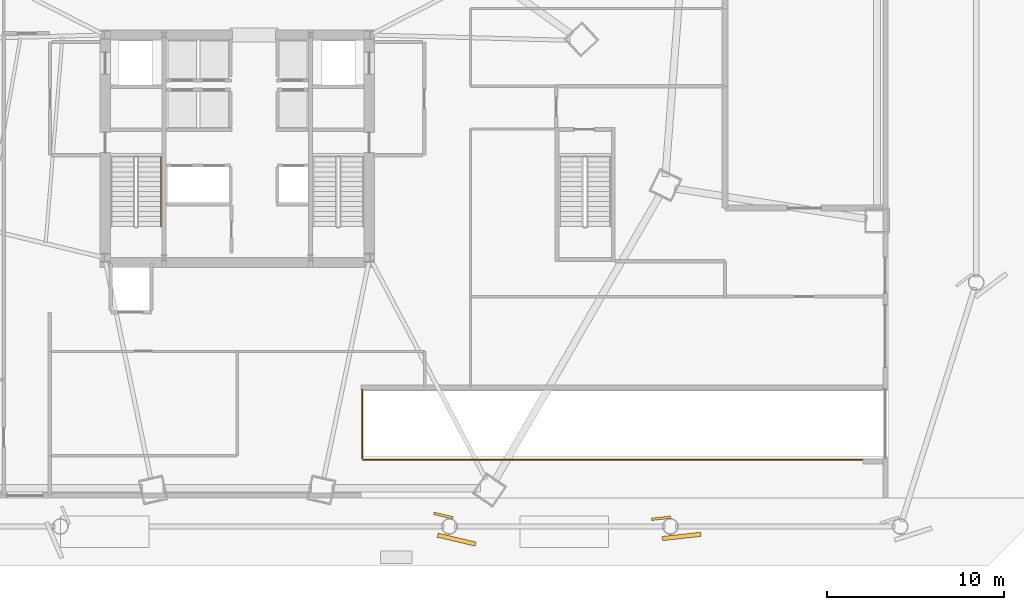
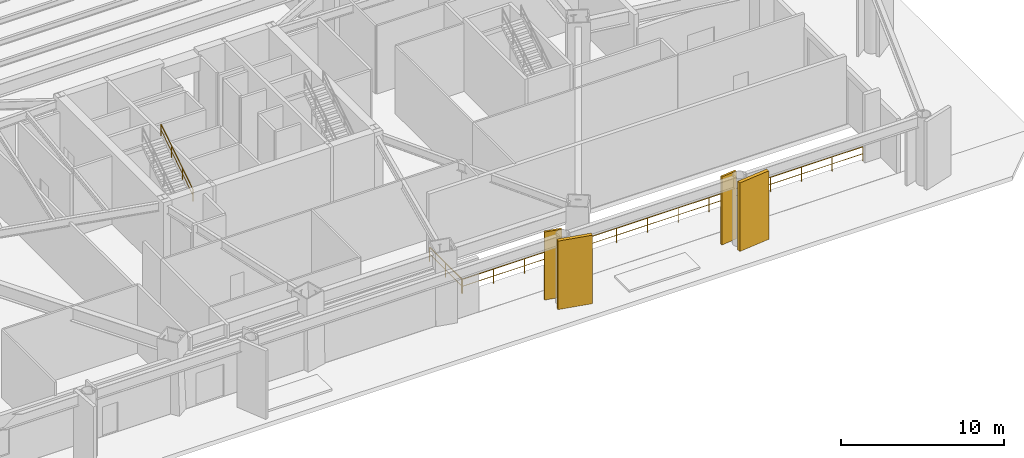
# One storey, part 16 of 19: 3 railings, 2 coverings, 2 shading devices.
"""IFC4 building model written with IfcOpenShell, lengths in metres."""

from ifc_helpers import new_model, si_unit, direction, frame, origin, origin_2d, place, context, subcontext, project, spatial, rectangle, extrude, source, transform, mapped, material, layer, layer_set, type_object, type_shapes, element, save


model = new_model("IFC4")

# Units and contexts
model_context = context("Model", 3, precision=1e-05, world=origin(), true_north=direction((0.0, 1.0)))
body_context = subcontext(model_context, "Body", "Model", "MODEL_VIEW")
ifc_project = project(units=[si_unit("LENGTHUNIT", "METRE"), si_unit("AREAUNIT", "SQUARE_METRE"), si_unit("VOLUMEUNIT", "CUBIC_METRE"), si_unit("PLANEANGLEUNIT", "RADIAN"), si_unit("MASSUNIT", "GRAM", prefix="KILO")], contexts=[model_context])

# Site, building, storey
site_placement = place(None, origin())
site = spatial("IfcSite", under=ifc_project, at=site_placement, CompositionType="ELEMENT")
building_placement = place(site_placement, origin())
building = spatial("IfcBuilding", under=site, at=building_placement, Name="Caelisora Broadcast Tower", CompositionType="ELEMENT")
storey_placement = place(building_placement, origin())
storey = spatial("IfcBuildingStorey", under=building, at=storey_placement, Name="L00", CompositionType="ELEMENT", Elevation=0.0)

# Railings
ifc_material_1 = material(Name="Galvanised Steel Safety Guardrail", Category="steel")
ifc_layer_1 = layer(ifc_material_1, 0.048095703125, Name="Galvanised Steel Safety Guardrail")
ifc_layer_set_1 = layer_set([ifc_layer_1], Name="Galvanised Steel Safety Guardrail")
railing_type_1 = type_object("IfcRailingType", Name="GR-1", PredefinedType="GUARDRAIL", material=ifc_layer_set_1)
railing_1_placement = place(storey_placement, frame((45.080078125, 9.949951171875, 0.0)))
element("IfcRailing", 1, at=railing_1_placement, inside=storey, type_object=railing_type_1, Name="L00 vehicle ramp guardrail #1", PredefinedType="GUARDRAIL", context=body_context, shape_type="SweptSolid", body=[
    extrude(rectangle(XDim=0.048095703125, YDim=0.048095703125, at=origin_2d()), frame((0.0, 0.0, 1.076171875), z_axis=(0.0, -1.0, 0.0), x_axis=(1.0, 0.0, 0.0)), (0.0, 0.0, 1.0), 3.89990234375),
    extrude(rectangle(XDim=0.03125, YDim=0.03125, at=origin_2d()), frame((0.0, 0.0, 0.550048828125), z_axis=(0.0, -1.0, 0.0), x_axis=(1.0, 0.0, 0.0)), (0.0, 0.0, 1.0), 3.89990234375),
    extrude(rectangle(XDim=0.0419921875, YDim=0.0419921875, at=origin_2d()), origin(), (0.0, 0.0, 1.0), 1.052001953125),
    extrude(rectangle(XDim=0.0419921875, YDim=0.0419921875, at=origin_2d()), frame((0.0, -1.949951171875, 0.0)), (0.0, 0.0, 1.0), 1.052001953125),
    extrude(rectangle(XDim=0.0419921875, YDim=0.0419921875, at=origin_2d()), frame((0.0, -3.89990234375, 0.0)), (0.0, 0.0, 1.0), 1.052001953125),
])
railing_2_placement = place(storey_placement, frame((45.1201171875, 5.97998046875, 0.0)))
element("IfcRailing", 2, at=railing_2_placement, inside=storey, type_object=railing_type_1, Name="L00 vehicle ramp guardrail #2", PredefinedType="GUARDRAIL", context=body_context, shape_type="SweptSolid", body=[
    extrude(rectangle(XDim=0.048095703125, YDim=0.048095703125, at=origin_2d()), frame((0.0, 0.0, 1.076171875), z_axis=(1.0, 0.0, 0.0), x_axis=(0.0, 1.0, 0.0)), (0.0, 0.0, 1.0), 28.27978515625),
    extrude(rectangle(XDim=0.03125, YDim=0.03125, at=origin_2d()), frame((0.0, 0.0, 0.550048828125), z_axis=(1.0, 0.0, 0.0), x_axis=(0.0, 1.0, 0.0)), (0.0, 0.0, 1.0), 28.27978515625),
    extrude(rectangle(XDim=0.0419921875, YDim=0.0419921875, at=origin_2d()), origin(), (0.0, 0.0, 1.0), 1.052001953125),
    extrude(rectangle(XDim=0.0419921875, YDim=0.0419921875, at=origin_2d()), frame((2.17529296875, 0.0, 0.0)), (0.0, 0.0, 1.0), 1.052001953125),
    extrude(rectangle(XDim=0.0419921875, YDim=0.0419921875, at=origin_2d()), frame((4.350830078125, 0.0, 0.0)), (0.0, 0.0, 1.0), 1.052001953125),
    extrude(rectangle(XDim=0.0419921875, YDim=0.0419921875, at=origin_2d()), frame((6.526123046875, 0.0, 0.0)), (0.0, 0.0, 1.0), 1.052001953125),
    extrude(rectangle(XDim=0.0419921875, YDim=0.0419921875, at=origin_2d()), frame((8.701416015625, 0.0, 0.0)), (0.0, 0.0, 1.0), 1.052001953125),
    extrude(rectangle(XDim=0.0419921875, YDim=0.0419921875, at=origin_2d()), frame((10.876953125, 0.0, 0.0)), (0.0, 0.0, 1.0), 1.052001953125),
    extrude(rectangle(XDim=0.0419921875, YDim=0.0419921875, at=origin_2d()), frame((13.05224609375, 0.0, 0.0)), (0.0, 0.0, 1.0), 1.052001953125),
    extrude(rectangle(XDim=0.0419921875, YDim=0.0419921875, at=origin_2d()), frame((15.2275390625, 0.0, 0.0)), (0.0, 0.0, 1.0), 1.052001953125),
    extrude(rectangle(XDim=0.0419921875, YDim=0.0419921875, at=origin_2d()), frame((17.40283203125, 0.0, 0.0)), (0.0, 0.0, 1.0), 1.052001953125),
    extrude(rectangle(XDim=0.0419921875, YDim=0.0419921875, at=origin_2d()), frame((19.578369140625, 0.0, 0.0)), (0.0, 0.0, 1.0), 1.052001953125),
    extrude(rectangle(XDim=0.0419921875, YDim=0.0419921875, at=origin_2d()), frame((21.753662109375, 0.0, 0.0)), (0.0, 0.0, 1.0), 1.052001953125),
    extrude(rectangle(XDim=0.0419921875, YDim=0.0419921875, at=origin_2d()), frame((23.928955078125, 0.0, 0.0)), (0.0, 0.0, 1.0), 1.052001953125),
    extrude(rectangle(XDim=0.0419921875, YDim=0.0419921875, at=origin_2d()), frame((26.1044921875, 0.0, 0.0)), (0.0, 0.0, 1.0), 1.052001953125),
    extrude(rectangle(XDim=0.0419921875, YDim=0.0419921875, at=origin_2d()), frame((28.27978515625, 0.0, 0.0)), (0.0, 0.0, 1.0), 1.052001953125),
])
ifc_material_2 = material(Name="Stainless Steel Grade 316 Tubular Handrail", Category="steel")
ifc_layer_2 = layer(ifc_material_2, 0.048095703125, Name="Stainless Steel Grade 316 Tubular Handrail")
ifc_layer_set_2 = layer_set([ifc_layer_2], Name="Stainless Steel Grade 316 Tubular Handrail")
railing_type_2 = type_object("IfcRailingType", Name="HR-1", PredefinedType="HANDRAIL", material=ifc_layer_set_2)
railing_3_placement = place(storey_placement, frame((33.68994140625, 19.179931640625, 2.8798828125)))
element("IfcRailing", 3, at=railing_3_placement, inside=storey, type_object=railing_type_2, Name="L00 ST-1 stair handrail 2", PredefinedType="HANDRAIL", context=body_context, shape_type="SweptSolid", body=[
    extrude(rectangle(XDim=0.048095703125, YDim=0.048095703125, at=origin_2d()), frame((0.0, 0.0, 0.8759765625), z_axis=(0.0, 0.841186985886, 0.540744352514), x_axis=(-1.0, 0.0, 0.0)), (0.0, 0.0, 1.0), 4.660400390625),
    extrude(rectangle(XDim=0.03125, YDim=0.03125, at=origin_2d()), frame((0.0, 0.0, 0.449951171875), z_axis=(0.0, 0.841186985886, 0.540744352514), x_axis=(-1.0, 0.0, 0.0)), (0.0, 0.0, 1.0), 4.660400390625),
    extrude(rectangle(XDim=0.0419921875, YDim=0.0419921875, at=origin_2d()), origin(), (0.0, 0.0, 1.0), 0.851806640625),
    extrude(rectangle(XDim=0.0419921875, YDim=0.0419921875, at=origin_2d()), frame((0.0, 1.306640625, 0.840087890625)), (0.0, 0.0, 1.0), 0.851806640625),
    extrude(rectangle(XDim=0.0419921875, YDim=0.0419921875, at=origin_2d()), frame((0.0, 2.613525390625, 1.679931640625)), (0.0, 0.0, 1.0), 0.851806640625),
    extrude(rectangle(XDim=0.0419921875, YDim=0.0419921875, at=origin_2d()), frame((0.0, 3.920166015625, 2.52001953125)), (0.0, 0.0, 1.0), 0.851806640625),
])

# Shading devices
ifc_material_3 = material(Name="Extruded Terracotta Flaring Colonnade Fin", Category="ceramic")
ifc_layer_3 = layer(ifc_material_3, 0.139892578125, Name="Extruded Terracotta Flaring Colonnade Fin")
ifc_layer_set_3 = layer_set([ifc_layer_3], Name="Extruded Terracotta Flaring Colonnade Fin")
shading_device_type = type_object("IfcShadingDeviceType", Name="FN-1", PredefinedType="USERDEFINED", material=ifc_layer_set_3)
shared_shape_1 = source(origin(), body_context, "Body", "SweptSolid", [
    extrude(rectangle(XDim=1.10009765625, YDim=0.139892578125, at=origin_2d()), origin(), (0.0, 0.0, 1.0), 5.080078125),
])
type_shapes(shading_device_type, [shared_shape_1])
for number, where, z_axis, x_axis, name in (
    (4, (49.662353515625, 2.813232421875, 0.0), (0.0, 0.0, 1.0), (0.973698333648, -0.227841074111, 0.0), "L00 flaring terracotta colonnade fin #04"),
    (5, (61.97705078125, 2.665283203125, 0.0), (0.0, 0.0, 1.0), (0.993884104238, 0.110428199945, 0.0), "L00 flaring terracotta colonnade fin #05"),
):
    element("IfcShadingDevice", number, at=place(storey_placement, frame(where, z_axis=z_axis, x_axis=x_axis)), inside=storey, type_object=shading_device_type, Name=name, ObjectType="FIN", PredefinedType="USERDEFINED", context=body_context, shape_type="MappedRepresentation", body=[
        mapped(shared_shape_1, transform((0.0, 0.0, 0.0), scale=1.0)),
    ])

# Coverings
ifc_material_4 = material(Name="Kiln-Fired Terracotta Spandrel Rainscreen Cladding", Category="ceramic")
ifc_layer_4 = layer(ifc_material_4, 0.044921875, Name="Kiln-Fired Terracotta Spandrel Rainscreen Cladding")
ifc_layer_set_4 = layer_set([ifc_layer_4], Name="Kiln-Fired Terracotta Spandrel Rainscreen Cladding")
covering_type = type_object("IfcCoveringType", Name="CL-1", PredefinedType="CLADDING", material=ifc_layer_set_4)
shared_shape_2 = source(origin(), body_context, "Body", "SweptSolid", [
    extrude(rectangle(XDim=2.199951171875, YDim=0.239990234375, at=origin_2d()), origin(), (0.0, 0.0, 1.0), 5.1201171875),
])
type_shapes(covering_type, [shared_shape_2])
for number, where, z_axis, x_axis, name in (
    (6, (50.409912109375, 1.455322265625, -0.010009765625), (0.0, 0.0, 1.0), (0.973698333648, -0.227841074111, 0.0), "L00 flaring root-fin cladding #04"),
    (7, (63.135009765625, 1.635009765625, -0.010009765625), (0.0, 0.0, 1.0), (0.993884104238, 0.110428199945, 0.0), "L00 flaring root-fin cladding #05"),
):
    element("IfcCovering", number, at=place(storey_placement, frame(where, z_axis=z_axis, x_axis=x_axis)), inside=storey, type_object=covering_type, Name=name, PredefinedType="CLADDING", context=body_context, shape_type="MappedRepresentation", body=[
        mapped(shared_shape_2, transform((0.0, 0.0, 0.0), scale=1.0)),
    ])

save(model, "model.ifc")
